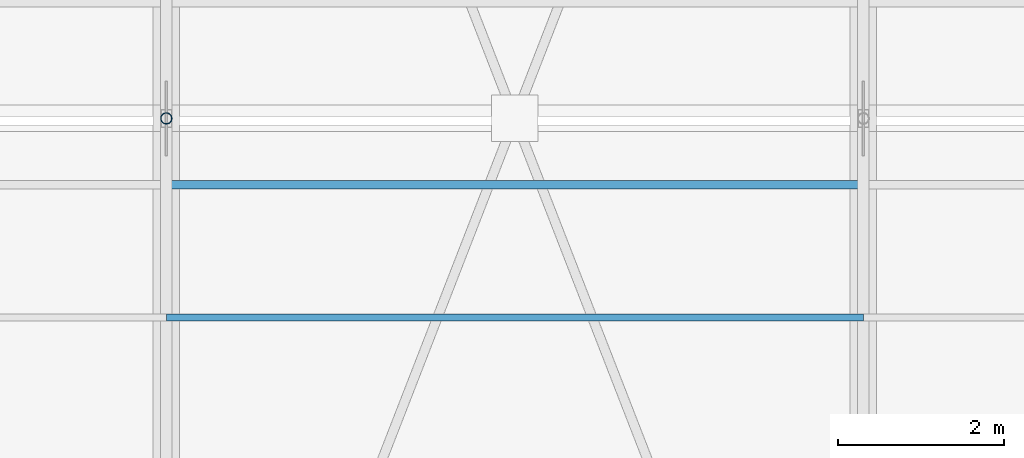
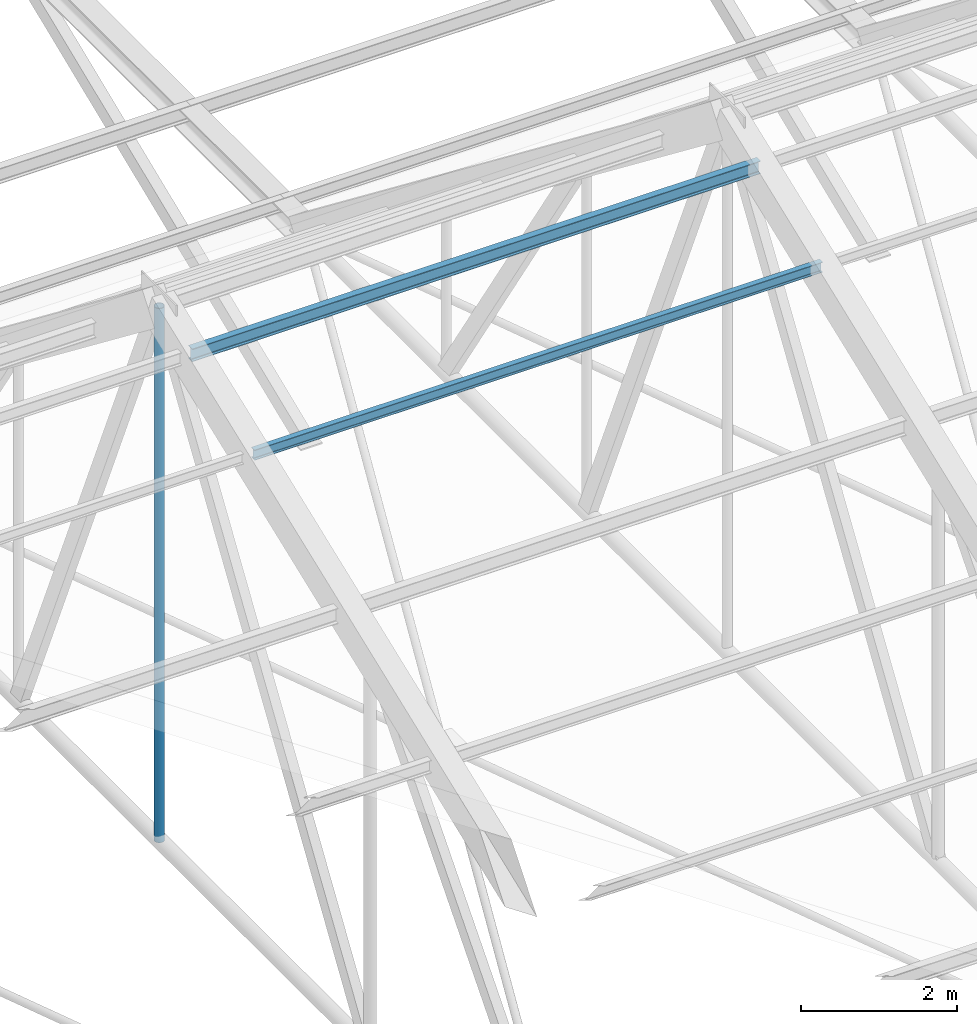
# One storey, part 118 of 217: 3 members.
"""IFC4 building model written with IfcOpenShell, lengths in metres."""

from ifc_helpers import new_model, si_unit, direction, frame, origin, origin_2d, place, context, subcontext, project, spatial, hollow_circle, i_section, extrude, material, material_profile, profile_set, type_object, element, save


model = new_model("IFC4")

# Units and contexts
model_context = context("Model", 3, precision=1e-05, world=origin(), true_north=direction((0.0, 1.0)))
body_context = subcontext(model_context, "Body", "Model", "MODEL_VIEW")
ifc_project = project(units=[si_unit("LENGTHUNIT", "METRE"), si_unit("AREAUNIT", "SQUARE_METRE"), si_unit("VOLUMEUNIT", "CUBIC_METRE"), si_unit("PLANEANGLEUNIT", "RADIAN"), si_unit("MASSUNIT", "GRAM", prefix="KILO")], contexts=[model_context])

# Site, building, storey
site_placement = place(None, origin())
site = spatial("IfcSite", under=ifc_project, at=site_placement, CompositionType="ELEMENT")
building_placement = place(site_placement, origin())
building = spatial("IfcBuilding", under=site, at=building_placement, Name="Mazaris Harbour Polytechnic", CompositionType="ELEMENT")
storey_placement = place(building_placement, frame((0.0, 0.0, 9.60009765625)))
storey = spatial("IfcBuildingStorey", under=building, at=storey_placement, Name="L02", CompositionType="ELEMENT", Elevation=9.60009765625)

# Members
ifc_material_1 = material(Name="Steel S355", Category="steel")
ifc_material_profile_1 = material_profile(ifc_material_1, i_section(OverallWidth=0.08203125, OverallDepth=0.159912109375, WebThickness=0.0048828125, FlangeThickness=0.00732421875, FilletRadius=0.009033203125, at=origin_2d()), Name="IPE 160")
ifc_profile_set_1 = profile_set([ifc_material_profile_1], Name="Steel S355")
member_type_1 = type_object("IfcMemberType", Name="Steel Purlin IPE160", PredefinedType="PURLIN", material=ifc_profile_set_1)
member_1_placement = place(storey_placement, frame((79.199951171875, 94.800048828125, 11.23779296875), z_axis=(1.0, 0.0, 0.0), x_axis=(0.0, 1.0, 0.0)))
element("IfcMember", 1, at=member_1_placement, inside=storey, type_object=member_type_1, Name="V1 Roof Purlin S-75", PredefinedType="PURLIN", context=body_context, shape_type="SweptSolid", body=[
    extrude(i_section(OverallWidth=0.08203125, OverallDepth=0.159912109375, WebThickness=0.0048828125, FlangeThickness=0.00732421875, FilletRadius=0.009033203125, at=origin_2d()), origin(), (0.0, 0.0, 1.0), 8.400146484375),
])
ifc_material_2 = material(Name="Steel S355", Category="steel")
ifc_material_profile_2 = material_profile(ifc_material_2, i_section(OverallWidth=0.10009765625, OverallDepth=0.199951171875, WebThickness=0.005615234375, FlangeThickness=0.008544921875, FilletRadius=0.011962890625, at=origin_2d()), Name="IPE 200")
ifc_profile_set_2 = profile_set([ifc_material_profile_2], Name="Steel S355")
member_type_2 = type_object("IfcMemberType", Name="Steel Purlin IPE200", PredefinedType="PURLIN", material=ifc_profile_set_2)
member_2_placement = place(storey_placement, frame((79.199951171875, 96.39990234375, 11.833740234375), z_axis=(1.0, 0.0, 0.0), x_axis=(0.0, 1.0, 0.0)))
element("IfcMember", 2, at=member_2_placement, inside=storey, type_object=member_type_2, Name="V1 Roof Purlin S-76", PredefinedType="PURLIN", context=body_context, shape_type="SweptSolid", body=[
    extrude(i_section(OverallWidth=0.10009765625, OverallDepth=0.199951171875, WebThickness=0.005615234375, FlangeThickness=0.008544921875, FilletRadius=0.011962890625, at=origin_2d()), origin(), (0.0, 0.0, 1.0), 8.400146484375),
])
ifc_material_3 = material(Name="Steel S355", Category="steel")
ifc_material_profile_3 = material_profile(ifc_material_3, hollow_circle(Radius=0.06982421875, WallThickness=0.008056640625, at=origin_2d()), Name="CHS 139.7x8.0")
ifc_profile_set_3 = profile_set([ifc_material_profile_3], Name="Steel S355")
member_type_3 = type_object("IfcMemberType", Name="Steel Truss Strut CHS139", PredefinedType="STRUT", material=ifc_profile_set_3)
member_3_placement = place(storey_placement, frame((79.199951171875, 97.199951171875, 3.75), z_axis=(0.0, 0.0, 1.0), x_axis=(1.0, 0.0, 0.0)))
element("IfcMember", 3, at=member_3_placement, inside=storey, type_object=member_type_3, Name="Truss 4 Web Post S4", PredefinedType="STRUT", context=body_context, shape_type="SweptSolid", body=[
    extrude(hollow_circle(Radius=0.06982421875, WallThickness=0.008056640625, at=origin_2d()), origin(), (0.0, 0.0, 1.0), 8.349853515625),
])

save(model, "model.ifc")
